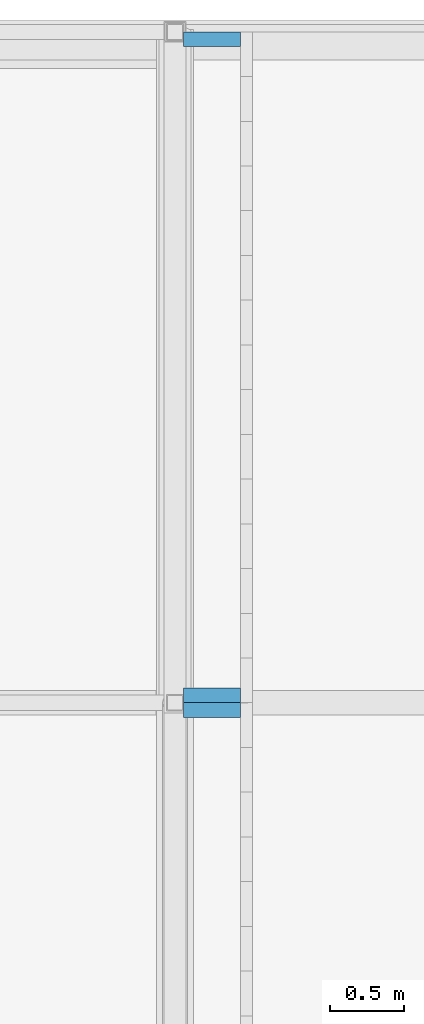
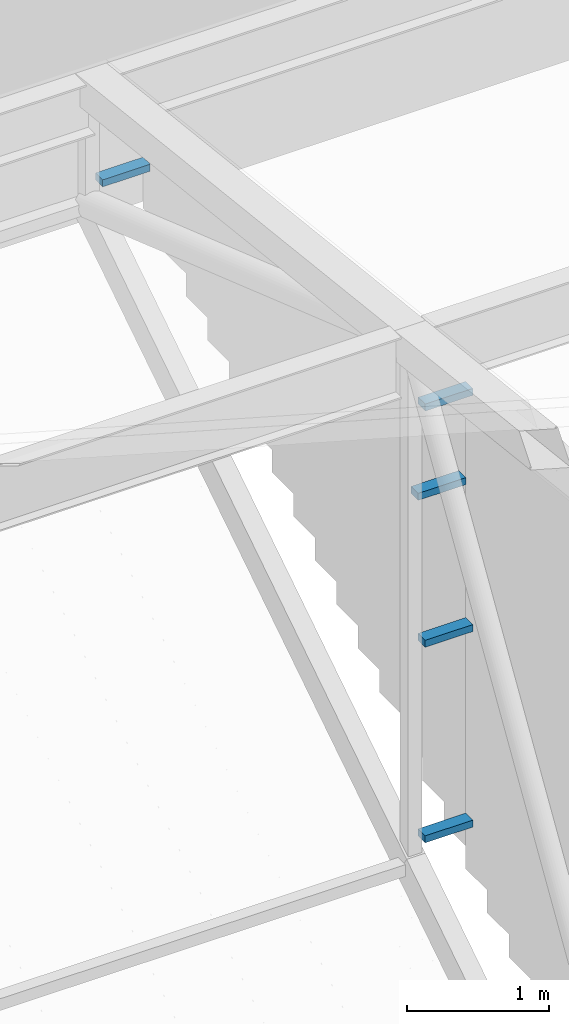
# One storey, part 454 of 500: 5 discrete accessories.
"""IFC4 building model written with IfcOpenShell, lengths in metres."""

import ifcopenshell
import ifcopenshell.guid

model = None  # the IFC model being written
_history = None  # IfcOwnerHistory: only IFC2X3 demands one
_inside = {}  # id of a spatial element -> (the spatial element, [elements in it])
_under = {}  # id of a project, library or spatial element -> (it, [spatial elements below it])
_declared = {}  # id of a project -> (the project, [libraries it declares])
_typed = {}  # id of a type object -> (the type object, [elements of that type])
_made_of = {}  # id of a material, layer set ... -> (it, [elements and type objects made of it])


def new_model(schema):
    """Start an empty IFC model of exactly this schema.

    Asked for "IFC4X3", IfcOpenShell would pick the latest addendum, in which some entities
    have other attributes; the version numbers below select the first issue.
    IFC2X3 requires an IfcOwnerHistory on every rooted entity: one is made here for all.
    """
    global model, _history
    if schema == "IFC4X3":
        model = ifcopenshell.file(schema_version=(4, 3, 0, 0))
    else:
        model = ifcopenshell.file(schema=schema)
    _inside.clear()
    _under.clear()
    _declared.clear()
    _typed.clear()
    _made_of.clear()
    _history = None
    if model.schema == "IFC2X3":
        org = make("IfcOrganization", Name="unknown")
        user = make(
            "IfcPersonAndOrganization",
            ThePerson=make("IfcPerson", FamilyName="unknown"),
            TheOrganization=org,
        )
        app = make(
            "IfcApplication",
            ApplicationDeveloper=org,
            Version="unknown",
            ApplicationFullName="unknown",
            ApplicationIdentifier="unknown",
        )
        _history = make(
            "IfcOwnerHistory",
            OwningUser=user,
            OwningApplication=app,
            ChangeAction="ADDED",
            CreationDate=0,
        )
    return model


def make(cls, **values):
    """One entity of the class cls with the attributes given. An attribute that is None is left unset."""
    return model.create_entity(
        cls, **{name: value for name, value in values.items() if value is not None}
    )


def rooted(cls, **values):
    """An entity with a GlobalId (a new one), such as an element, a storey or a relation."""
    return make(cls, GlobalId=ifcopenshell.guid.new(), OwnerHistory=_history, **values)


def si_unit(unit_type, name, prefix=None):
    """IfcSIUnit, for example si_unit("LENGTHUNIT", "METRE", prefix="MILLI")."""
    return make("IfcSIUnit", UnitType=unit_type, Prefix=prefix, Name=name)


def assignment(units):
    """IfcUnitAssignment: the units of a project."""
    return None if units is None else make("IfcUnitAssignment", Units=units)


def point(xyz):
    """IfcCartesianPoint."""
    return None if xyz is None else make("IfcCartesianPoint", Coordinates=xyz)


def direction(xyz):
    """IfcDirection."""
    return None if xyz is None else make("IfcDirection", DirectionRatios=xyz)


def frame(location, z_axis=None, x_axis=None):
    """IfcAxis2Placement3D, a coordinate frame: its origin and axes. An axis left out is left unset."""
    return make(
        "IfcAxis2Placement3D",
        Location=point(location),
        Axis=direction(z_axis),
        RefDirection=direction(x_axis),
    )


def frame_2d(location, x_axis=None):
    """IfcAxis2Placement2D, a coordinate frame in the plane: its origin and x axis."""
    return make(
        "IfcAxis2Placement2D", Location=point(location), RefDirection=direction(x_axis)
    )


def origin():
    """The frame at (0, 0, 0) with its axes left unset."""
    return frame((0.0, 0.0, 0.0))


def origin_2d():
    """The frame at (0, 0) in the plane with its x axis left unset."""
    return frame_2d((0.0, 0.0))


def place(relative_to, where):
    """IfcLocalPlacement: puts the frame where relative to a parent placement (None: the world)."""
    return make(
        "IfcLocalPlacement", PlacementRelTo=relative_to, RelativePlacement=where
    )


def context(
    kind, dimensions, precision=None, world=None, true_north=None, identifier=None
):
    """IfcGeometricRepresentationContext, for example the 3D "Model" context."""
    return make(
        "IfcGeometricRepresentationContext",
        ContextIdentifier=identifier,
        ContextType=kind,
        CoordinateSpaceDimension=dimensions,
        Precision=precision,
        WorldCoordinateSystem=world,
        TrueNorth=true_north,
    )


def subcontext(parent, identifier, kind, view, scale=None):
    """IfcGeometricRepresentationSubContext, for example "Body" below "Model"."""
    return make(
        "IfcGeometricRepresentationSubContext",
        ContextIdentifier=identifier,
        ContextType=kind,
        ParentContext=parent,
        TargetScale=scale,
        TargetView=view,
    )


def project(units=None, contexts=None):
    """IfcProject with its units and contexts."""
    return rooted(
        "IfcProject",
        Name="project",
        RepresentationContexts=contexts,
        UnitsInContext=assignment(units),
    )


def spatial(cls, under=None, at=None, **own):
    """A site, building, storey or space (cls), placed at a placement, below another one or the project."""
    s = rooted(cls, ObjectPlacement=at, **own)
    if under is not None:
        _under.setdefault(under.id(), (under, []))[1].append(s)
    return s


def profile(cls, at=None, kind="AREA", **sizes):
    """A parametric profile (cls). Its sizes go by their IFC names, for example OverallWidth=200.0."""
    return make(cls, ProfileType=kind, Position=at, **sizes)


def rectangle(**sizes):
    """IfcRectangleProfileDef."""
    return profile("IfcRectangleProfileDef", **sizes)


def extrude(swept, where, along, depth):
    """IfcExtrudedAreaSolid: the profile swept, set in the frame where, extruded along a direction by depth."""
    return make(
        "IfcExtrudedAreaSolid",
        SweptArea=swept,
        Position=where,
        ExtrudedDirection=direction(along),
        Depth=depth,
    )


def shape(context_of_items, identifier, shape_type, items):
    """IfcShapeRepresentation: the items that make up one representation, for example the "Body"."""
    return make(
        "IfcShapeRepresentation",
        ContextOfItems=context_of_items,
        RepresentationIdentifier=identifier,
        RepresentationType=shape_type,
        Items=items,
    )


def material(Name=None, Category=None):
    """IfcMaterial."""
    return make("IfcMaterial", Name=Name, Category=Category)


def made_of(thing, what):
    """Note that an element or type object is made of a material, layer set ...; save() writes the relation."""
    if what is not None:
        _made_of.setdefault(what.id(), (what, []))[1].append(thing)
    return thing


def type_object(cls, material=None, **own):
    """A type object (cls), such as IfcWallType, which elements share."""
    return made_of(rooted(cls, **own), material)


def element(
    cls,
    number,
    at=None,
    inside=None,
    cuts=None,
    type_object=None,
    material=None,
    context=None,
    identifier="Body",
    shape_type=None,
    held_by="IfcProductDefinitionShape",
    body=None,
    shapes=None,
    **own,
):
    """One element of the class cls, such as IfcWall. Its Tag is "e" and its number.

    at: its placement. inside: the storey or other place that contains it. cuts: it is an
    opening in that element (IfcRelVoidsElement). A single representation is given by context,
    identifier, shape_type and body (its items); several are given by shapes. held_by: the class
    of the entity that holds the representations. save() writes the other relations.
    """
    e = rooted(cls, Tag="e%d" % number, ObjectPlacement=at, **own)
    if body is not None:
        shapes = [shape(context, identifier, shape_type, body)]
    if shapes is not None:
        e.Representation = make(held_by, Representations=shapes)
    if inside is not None:
        _inside.setdefault(inside.id(), (inside, []))[1].append(e)
    if cuts is not None:
        rooted(
            "IfcRelVoidsElement", RelatingBuildingElement=cuts, RelatedOpeningElement=e
        )
    if type_object is not None:
        _typed.setdefault(type_object.id(), (type_object, []))[1].append(e)
    return made_of(e, material)


def aggregate(whole, parts):
    """IfcRelAggregates: a whole, such as a stair, and the parts it consists of."""
    return rooted("IfcRelAggregates", RelatingObject=whole, RelatedObjects=parts)


def save(model, path):
    """Write the relations noted so far, then the file.

    IfcRelAggregates (storeys below a building ...), IfcRelContainedInSpatialStructure (elements
    in a storey), IfcRelDefinesByType, IfcRelAssociatesMaterial and IfcRelDeclares: one each for
    every whole, place, type object, material and project.
    """
    for whole, parts in _under.values():
        aggregate(whole, parts)
    for where, things in _inside.values():
        rooted(
            "IfcRelContainedInSpatialStructure",
            RelatedElements=things,
            RelatingStructure=where,
        )
    for kind, things in _typed.values():
        rooted("IfcRelDefinesByType", RelatedObjects=things, RelatingType=kind)
    for what, things in _made_of.values():
        rooted("IfcRelAssociatesMaterial", RelatedObjects=things, RelatingMaterial=what)
    for by, libraries in _declared.values():
        rooted("IfcRelDeclares", RelatingContext=by, RelatedDefinitions=libraries)
    model.write(path)


model = new_model("IFC4")

# Units and contexts
model_context = context("Model", 3, precision=1e-05, world=origin(), true_north=direction((0.0, 1.0)))
body_context = subcontext(model_context, "Body", "Model", "MODEL_VIEW")
ifc_project = project(units=[si_unit("LENGTHUNIT", "METRE"), si_unit("AREAUNIT", "SQUARE_METRE"), si_unit("VOLUMEUNIT", "CUBIC_METRE"), si_unit("PLANEANGLEUNIT", "RADIAN"), si_unit("MASSUNIT", "GRAM", prefix="KILO")], contexts=[model_context])

# Site, building, storey
site_placement = place(None, origin())
site = spatial("IfcSite", under=ifc_project, at=site_placement, CompositionType="ELEMENT")
building_placement = place(site_placement, origin())
building = spatial("IfcBuilding", under=site, at=building_placement, Name="Shirokan Park Arena", CompositionType="ELEMENT")
storey_placement = place(building_placement, frame((0.0, 0.0, 29.1201171875)))
storey = spatial("IfcBuildingStorey", under=building, at=storey_placement, Name="L06", CompositionType="ELEMENT", Elevation=29.1201171875)

# Discrete accessories
ifc_material = material(Name="Steel S355", Category="steel")
discrete_accessory_type = type_object("IfcDiscreteAccessoryType", Name="Veil bracket 100x60", PredefinedType="BRACKET", material=ifc_material)
for number, where, z_axis, x_axis, name in (
    (1, (145.85107421875, 113.699951171875, 7.82568359375), (0.0, 0.0, 1.0), (1.0, 0.0, 0.0), "Veil bracket gable band east bay 27 4"),
    (2, (145.85107421875, 113.699951171875, 9.5087890625), (0.0, 0.0, 1.0), (1.0, 0.0, 0.0), "Veil bracket gable band east bay 27 5"),
    (3, (145.85107421875, 113.699951171875, 11.541748046875), (0.0, 0.0, 1.0), (1.0, 0.0, 0.0), "Veil bracket gable band east bay 27 6"),
    (4, (145.85107421875, 113.800048828125, 10.712646484375), (0.0, 0.0, 1.0), (1.0, 0.0, 0.0), "Veil bracket gable band east bay 28 1"),
    (5, (145.85107421875, 118.25, 10.712646484375), (0.0, 0.0, 1.0), (1.0, 0.0, 0.0), "Veil bracket gable band east bay 28 2"),
):
    element("IfcDiscreteAccessory", number, at=place(storey_placement, frame(where, z_axis=z_axis, x_axis=x_axis)), inside=storey, type_object=discrete_accessory_type, Name=name, PredefinedType="BRACKET", context=body_context, shape_type="SweptSolid", body=[
        extrude(rectangle(XDim=0.387939453125, YDim=0.10009765625, at=origin_2d()), origin(), (0.0, 0.0, 1.0), 0.06005859375),
    ])

save(model, "model.ifc")
